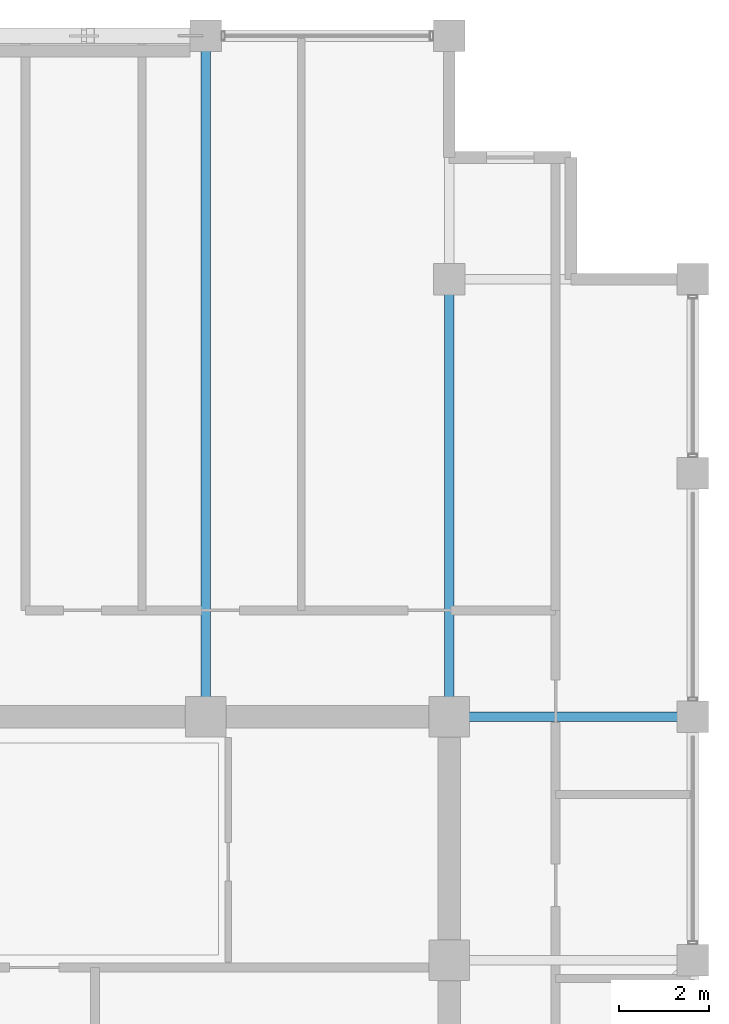
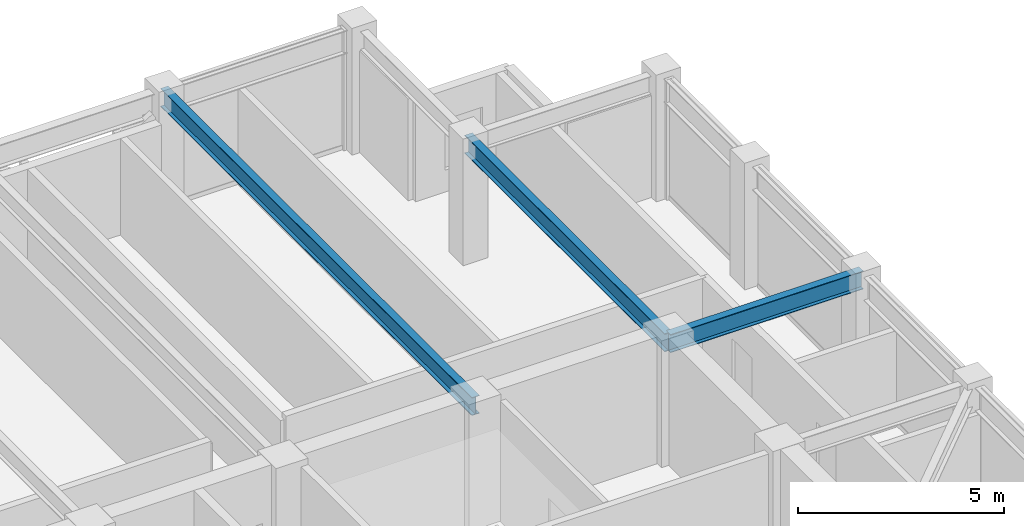
# One storey, part 20 of 31: 3 beams.
"""IFC4 building model written with IfcOpenShell, lengths in metres."""

from ifc_helpers import new_model, si_unit, direction, frame, origin, origin_2d, place, context, subcontext, project, spatial, i_section, extrude, material, material_profile, profile_set, type_object, element, save


model = new_model("IFC4")

# Units and contexts
model_context = context("Model", 3, precision=1e-05, world=origin(), true_north=direction((0.0, 1.0)))
body_context = subcontext(model_context, "Body", "Model", "MODEL_VIEW")
ifc_project = project(units=[si_unit("LENGTHUNIT", "METRE"), si_unit("AREAUNIT", "SQUARE_METRE"), si_unit("VOLUMEUNIT", "CUBIC_METRE"), si_unit("PLANEANGLEUNIT", "RADIAN"), si_unit("MASSUNIT", "GRAM", prefix="KILO")], contexts=[model_context])

# Site, building, storey
site_placement = place(None, origin())
site = spatial("IfcSite", under=ifc_project, at=site_placement, CompositionType="ELEMENT")
building_placement = place(site_placement, origin())
building = spatial("IfcBuilding", under=site, at=building_placement, Name="Surkhivell Harbour Commons", CompositionType="ELEMENT")
storey_placement = place(building_placement, frame((0.0, 0.0, 330.0)))
storey = spatial("IfcBuildingStorey", under=building, at=storey_placement, Name="L86", CompositionType="ELEMENT", Elevation=330.0)

# Beams
ifc_material = material(Name="Steel S355", Category="steel")
ifc_material_profile = material_profile(ifc_material, i_section(OverallWidth=0.2099609375, OverallDepth=0.537109375, WebThickness=0.0107421875, FlangeThickness=0.017333984375, at=origin_2d()), Name="UB533x210x101")
ifc_profile_set = profile_set([ifc_material_profile], Name="Steel S355")
beam_type = type_object("IfcBeamType", Name="BM-GRD-533B", PredefinedType="BEAM", material=ifc_profile_set)
beam_1_placement = place(storey_placement, frame((5.39990234375, 10.800048828125, 3.301513671875), z_axis=(0.0, 1.0, 0.0), x_axis=(-1.0, 0.0, 0.0)))
element("IfcBeam", 1, at=beam_1_placement, inside=storey, type_object=beam_type, Name="L86 Floor Girder (5.4,10.8)", PredefinedType="BEAM", context=body_context, shape_type="SweptSolid", body=[
    extrude(i_section(OverallWidth=0.2099609375, OverallDepth=0.537109375, WebThickness=0.0107421875, FlangeThickness=0.017333984375, at=origin_2d()), origin(), (0.0, 0.0, 1.0), 15.099853515625),
])
beam_2_placement = place(storey_placement, frame((10.800048828125, 10.800048828125, 3.301513671875), z_axis=(0.0, 1.0, 0.0), x_axis=(-1.0, 0.0, 0.0)))
element("IfcBeam", 2, at=beam_2_placement, inside=storey, type_object=beam_type, Name="L86 Floor Girder (10.8,10.8)", PredefinedType="BEAM", context=body_context, shape_type="SweptSolid", body=[
    extrude(i_section(OverallWidth=0.2099609375, OverallDepth=0.537109375, WebThickness=0.0107421875, FlangeThickness=0.017333984375, at=origin_2d()), origin(), (0.0, 0.0, 1.0), 9.699951171875),
])
beam_3_placement = place(storey_placement, frame((10.800048828125, 10.800048828125, 3.301513671875), z_axis=(1.0, 0.0, 0.0), x_axis=(0.0, 1.0, 0.0)))
element("IfcBeam", 3, at=beam_3_placement, inside=storey, type_object=beam_type, Name="L86 Floor Girder (10.8,10.8)", PredefinedType="BEAM", context=body_context, shape_type="SweptSolid", body=[
    extrude(i_section(OverallWidth=0.2099609375, OverallDepth=0.537109375, WebThickness=0.0107421875, FlangeThickness=0.017333984375, at=origin_2d()), origin(), (0.0, 0.0, 1.0), 5.39990234375),
])

save(model, "model.ifc")
